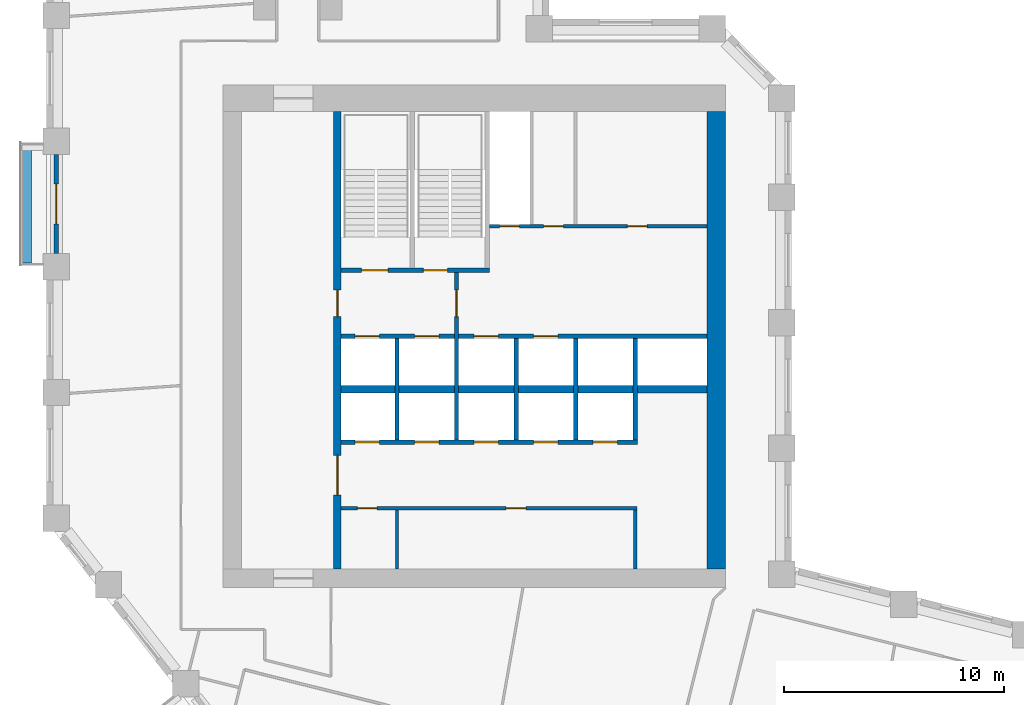
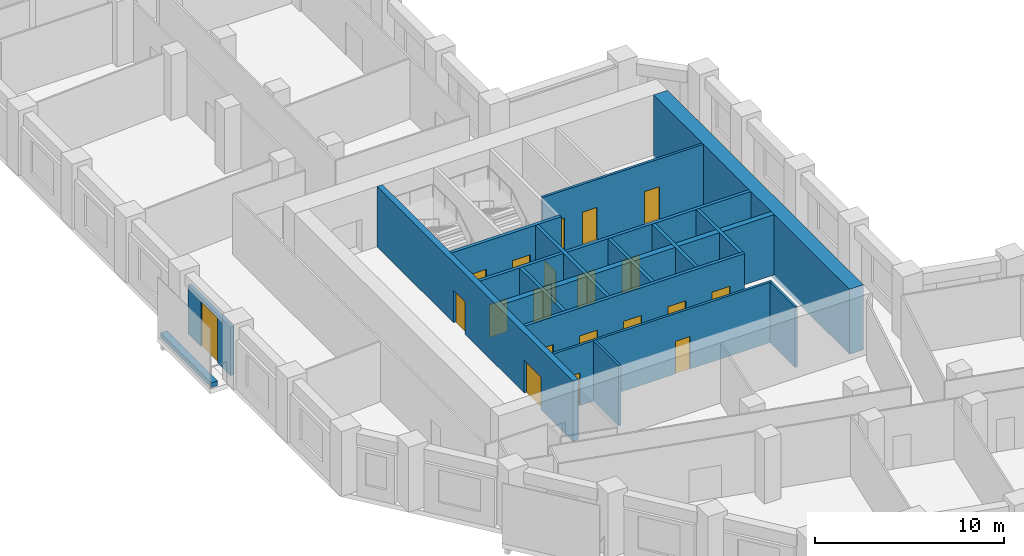
# One storey, part 5 of 10: 20 doors, 17 walls, 20 openings.
"""IFC4 building model written with IfcOpenShell, lengths in metres."""

from ifc_helpers import new_model, si_unit, direction, frame, frame_2d, origin, place, context, subcontext, project, spatial, rectangle, extrude, material, layer, layer_set, type_object, element, fill, save


model = new_model("IFC4")

# Units and contexts
model_context = context("Model", 3, precision=1e-05, world=origin(), true_north=direction((0.0, 1.0)))
body_context = subcontext(model_context, "Body", "Model", "MODEL_VIEW")
ifc_project = project(units=[si_unit("LENGTHUNIT", "METRE"), si_unit("AREAUNIT", "SQUARE_METRE"), si_unit("VOLUMEUNIT", "CUBIC_METRE"), si_unit("PLANEANGLEUNIT", "RADIAN"), si_unit("MASSUNIT", "GRAM", prefix="KILO")], contexts=[model_context])

# Site, building, storey
site_placement = place(None, origin())
site = spatial("IfcSite", under=ifc_project, at=site_placement, CompositionType="ELEMENT")
building_placement = place(site_placement, origin())
building = spatial("IfcBuilding", under=site, at=building_placement, Name="Meshkara Civic Tower", CompositionType="ELEMENT")
storey_placement = place(building_placement, frame((0.0, 0.0, 203.39990234375)))
storey = spatial("IfcBuildingStorey", under=building, at=storey_placement, Name="L46", CompositionType="ELEMENT", Elevation=203.39990234375)

# Wall, openings, doors
ifc_material_1 = material(Name="Blockwork", Category="masonry")
ifc_layer_1 = layer(ifc_material_1, 0.14990234375)
ifc_layer_set_1 = layer_set([ifc_layer_1], Name="Core partition 150")
wall_type_1 = type_object("IfcWallType", Name="Core partition 150", PredefinedType="PARTITIONING", material=ifc_layer_set_1)
wall_1_placement = place(storey_placement, frame((13.3701171875, 17.699951171875, 0.0), z_axis=(0.0, 0.0, 1.0), x_axis=(1.0, 0.0, 0.0)))
wall_1 = element("IfcWall", 1, at=wall_1_placement, inside=storey, type_object=wall_type_1, Name="L46-C005", PredefinedType="PARTITIONING", context=body_context, shape_type="SweptSolid", body=[
    extrude(rectangle(XDim=13.40478515625, YDim=0.14990234375, at=frame_2d((6.702392578125, 0.0))), origin(), (0.0, 0.0, 1.0), 3.900146484375),
])
opening_1_placement = place(wall_1_placement, frame((0.72998046875, 0.0, 0.0)))
opening_1 = element("IfcOpeningElement", 2, at=opening_1_placement, cuts=wall_1, Name="Opening L46-K010", PredefinedType="OPENING", context=body_context, shape_type="SweptSolid", body=[
    extrude(rectangle(XDim=0.89990234375, YDim=2.10009765625, at=frame_2d((0.449951171875, 1.050048828125))), frame((0.0, 0.0849609375, 0.0), z_axis=(0.0, -1.0, 0.0), x_axis=(1.0, 0.0, 0.0)), (0.0, 0.0, 1.0), 0.169921875),
])
opening_2_placement = place(wall_1_placement, frame((7.47998046875, 0.0, 0.0)))
opening_2 = element("IfcOpeningElement", 3, at=opening_2_placement, cuts=wall_1, Name="Opening L46-K011", PredefinedType="OPENING", context=body_context, shape_type="SweptSolid", body=[
    extrude(rectangle(XDim=0.89990234375, YDim=2.10009765625, at=frame_2d((0.449951171875, 1.050048828125))), frame((0.0, 0.0849609375, 0.0), z_axis=(0.0, -1.0, 0.0), x_axis=(1.0, 0.0, 0.0)), (0.0, 0.0, 1.0), 0.169921875),
])
ifc_material_2 = material(Name="Timber door leaf in steel frame", Category="steel")
door_type_1 = type_object("IfcDoorType", Name="Core room door 900", OperationType="SINGLE_SWING_LEFT", PredefinedType="DOOR", material=ifc_material_2)
door_1_placement = place(opening_1_placement, origin())
door_1 = element("IfcDoor", 4, at=door_1_placement, inside=storey, type_object=door_type_1, Name="L46-K010", OperationType="SINGLE_SWING_LEFT", OverallHeight=2.10009765625, OverallWidth=0.89990234375, PredefinedType="DOOR", context=body_context, shape_type="SweptSolid", body=[
    extrude(rectangle(XDim=0.89990234375, YDim=2.10009765625, at=frame_2d((0.449951171875, 1.050048828125))), frame((0.0, 0.02490234375, 0.0), z_axis=(0.0, -1.0, 0.0), x_axis=(1.0, 0.0, 0.0)), (0.0, 0.0, 1.0), 0.050048828125),
])
fill(opening_1, door_1)
door_2_placement = place(opening_2_placement, origin())
door_2 = element("IfcDoor", 5, at=door_2_placement, inside=storey, type_object=door_type_1, Name="L46-K011", OperationType="SINGLE_SWING_RIGHT", OverallHeight=2.10009765625, OverallWidth=0.89990234375, PredefinedType="DOOR", context=body_context, shape_type="SweptSolid", body=[
    extrude(rectangle(XDim=0.89990234375, YDim=2.10009765625, at=frame_2d((0.449951171875, 1.050048828125))), frame((0.0, 0.02490234375, 0.0), z_axis=(0.0, -1.0, 0.0), x_axis=(1.0, 0.0, 0.0)), (0.0, 0.0, 1.0), 0.050048828125),
])
fill(opening_2, door_2)

wall_2_placement = place(storey_placement, frame((20.10009765625, 30.5, 0.0), z_axis=(0.0, 0.0, 1.0), x_axis=(1.0, 0.0, 0.0)))
wall_2 = element("IfcWall", 6, at=wall_2_placement, inside=storey, type_object=wall_type_1, Name="L46-C010", PredefinedType="PARTITIONING", context=body_context, shape_type="SweptSolid", body=[
    extrude(rectangle(XDim=9.849853515625, YDim=0.14990234375, at=frame_2d((4.9248046875, 0.0))), origin(), (0.0, 0.0, 1.0), 3.900146484375),
])
opening_3_placement = place(wall_2_placement, frame((0.449951171875, 0.0, 0.0)))
opening_3 = element("IfcOpeningElement", 7, at=opening_3_placement, cuts=wall_2, Name="Opening L46-K012", PredefinedType="OPENING", context=body_context, shape_type="SweptSolid", body=[
    extrude(rectangle(XDim=0.89990234375, YDim=2.10009765625, at=frame_2d((0.449951171875, 1.050048828125))), frame((0.0, 0.0849609375, 0.0), z_axis=(0.0, -1.0, 0.0), x_axis=(1.0, 0.0, 0.0)), (0.0, 0.0, 1.0), 0.169921875),
])
opening_4_placement = place(wall_2_placement, frame((2.449951171875, 0.0, 0.0)))
opening_4 = element("IfcOpeningElement", 8, at=opening_4_placement, cuts=wall_2, Name="Opening L46-K013", PredefinedType="OPENING", context=body_context, shape_type="SweptSolid", body=[
    extrude(rectangle(XDim=0.89990234375, YDim=2.10009765625, at=frame_2d((0.449951171875, 1.050048828125))), frame((0.0, 0.0849609375, 0.0), z_axis=(0.0, -1.0, 0.0), x_axis=(1.0, 0.0, 0.0)), (0.0, 0.0, 1.0), 0.169921875),
])
opening_5_placement = place(wall_2_placement, frame((6.25, 0.0, 0.0)))
opening_5 = element("IfcOpeningElement", 9, at=opening_5_placement, cuts=wall_2, Name="Opening L46-K014", PredefinedType="OPENING", context=body_context, shape_type="SweptSolid", body=[
    extrude(rectangle(XDim=0.89990234375, YDim=2.10009765625, at=frame_2d((0.449951171875, 1.050048828125))), frame((0.0, 0.0849609375, 0.0), z_axis=(0.0, -1.0, 0.0), x_axis=(1.0, 0.0, 0.0)), (0.0, 0.0, 1.0), 0.169921875),
])
door_3_placement = place(opening_5_placement, origin())
door_3 = element("IfcDoor", 10, at=door_3_placement, inside=storey, type_object=door_type_1, Name="L46-K014", OperationType="SINGLE_SWING_RIGHT", OverallHeight=2.10009765625, OverallWidth=0.89990234375, PredefinedType="DOOR", context=body_context, shape_type="SweptSolid", body=[
    extrude(rectangle(XDim=0.89990234375, YDim=2.10009765625, at=frame_2d((0.449951171875, 1.050048828125))), frame((0.0, 0.02490234375, 0.0), z_axis=(0.0, -1.0, 0.0), x_axis=(1.0, 0.0, 0.0)), (0.0, 0.0, 1.0), 0.050048828125),
])
fill(opening_5, door_3)
ifc_material_3 = material(Name="Fire-rated door leaf in steel frame", Category="steel")
door_type_2 = type_object("IfcDoorType", Name="Riser door 900", OperationType="SINGLE_SWING_LEFT", PredefinedType="DOOR", material=ifc_material_3)
door_4_placement = place(opening_3_placement, origin())
door_4 = element("IfcDoor", 11, at=door_4_placement, inside=storey, type_object=door_type_2, Name="L46-K012", OperationType="SINGLE_SWING_RIGHT", OverallHeight=2.10009765625, OverallWidth=0.89990234375, PredefinedType="DOOR", context=body_context, shape_type="SweptSolid", body=[
    extrude(rectangle(XDim=0.89990234375, YDim=2.10009765625, at=frame_2d((0.449951171875, 1.050048828125))), frame((0.0, 0.02490234375, 0.0), z_axis=(0.0, -1.0, 0.0), x_axis=(1.0, 0.0, 0.0)), (0.0, 0.0, 1.0), 0.050048828125),
])
fill(opening_3, door_4)
ifc_material_4 = material(Name="Timber door leaf in steel frame", Category="steel")
door_type_3 = type_object("IfcDoorType", Name="WC door 900", OperationType="SINGLE_SWING_LEFT", PredefinedType="DOOR", material=ifc_material_4)
door_5_placement = place(opening_4_placement, origin())
door_5 = element("IfcDoor", 12, at=door_5_placement, inside=storey, type_object=door_type_3, Name="L46-K013", OperationType="SINGLE_SWING_LEFT", OverallHeight=2.10009765625, OverallWidth=0.89990234375, PredefinedType="DOOR", context=body_context, shape_type="SweptSolid", body=[
    extrude(rectangle(XDim=0.89990234375, YDim=2.10009765625, at=frame_2d((0.449951171875, 1.050048828125))), frame((0.0, 0.02490234375, 0.0), z_axis=(0.0, -1.0, 0.0), x_axis=(1.0, 0.0, 0.0)), (0.0, 0.0, 1.0), 0.050048828125),
])
fill(opening_4, door_5)

# Walls
for number, where, z_axis, x_axis, name in (
    (13, (15.89990234375, 14.949951171875, 0.0), (0.0, 0.0, 1.0), (0.0, 1.0, 0.0), "L46-C012"),
    (14, (26.699951171875, 14.949951171875, 0.0), (0.0, 0.0, 1.0), (0.0, 1.0, 0.0), "L46-C021"),
):
    element("IfcWall", number, at=place(storey_placement, frame(where, z_axis=z_axis, x_axis=x_axis)), inside=storey, type_object=wall_type_1, Name=name, PredefinedType="PARTITIONING", context=body_context, shape_type="SweptSolid", body=[
        extrude(rectangle(XDim=2.675048828125, YDim=0.14990234375, at=frame_2d((1.33740234375, 0.0))), origin(), (0.0, 0.0, 1.0), 3.900146484375),
    ])
ifc_material_5 = material(Name="Concrete C70", Category="concrete")
ifc_layer_2 = layer(ifc_material_5, 0.85009765625)
ifc_layer_set_2 = layer_set([ifc_layer_2], Name="Core ring wall 850 C70")
wall_type_2 = type_object("IfcWallType", Name="Core ring wall 850 C70", PredefinedType="SHEAR", material=ifc_layer_set_2)
wall_3_placement = place(storey_placement, frame((30.375, 14.949951171875, -0.2998046875), z_axis=(0.0, 0.0, 1.0), x_axis=(0.0, 1.0, 0.0)))
element("IfcWall", 15, at=wall_3_placement, inside=storey, type_object=wall_type_2, Name="L46-C004", PredefinedType="SHEAR", context=body_context, shape_type="SweptSolid", body=[
    extrude(rectangle(XDim=20.75, YDim=0.85009765625, at=frame_2d((10.375, 0.0))), origin(), (0.0, 0.0, 1.0), 4.199951171875),
])
ifc_material_6 = material(Name="Concrete C70", Category="concrete")
ifc_layer_3 = layer(ifc_material_6, 0.340087890625)
ifc_layer_set_3 = layer_set([ifc_layer_3], Name="Core shear wall 340 C70")
wall_type_3 = type_object("IfcWallType", Name="Core shear wall 340 C70", PredefinedType="SHEAR", material=ifc_layer_set_3)
wall_4_placement = place(storey_placement, frame((13.3701171875, 23.10009765625, 0.0), z_axis=(0.0, 0.0, 1.0), x_axis=(1.0, 0.0, 0.0)))
element("IfcWall", 16, at=wall_4_placement, inside=storey, type_object=wall_type_3, Name="L46-C007", PredefinedType="SHEAR", context=body_context, shape_type="SweptSolid", body=[
    extrude(rectangle(XDim=16.579833984375, YDim=0.340087890625, at=frame_2d((8.2900390625, 0.0))), origin(), (0.0, 0.0, 1.0), 3.900146484375),
])

# Wall, openings, doors
wall_5_placement = place(storey_placement, frame((13.199951171875, 14.949951171875, 0.0), z_axis=(0.0, 0.0, 1.0), x_axis=(0.0, 1.0, 0.0)))
wall_5 = element("IfcWall", 17, at=wall_5_placement, inside=storey, type_object=wall_type_3, Name="L46-C011", PredefinedType="SHEAR", context=body_context, shape_type="SweptSolid", body=[
    extrude(rectangle(XDim=20.75, YDim=0.340087890625, at=frame_2d((10.375, 0.0))), origin(), (0.0, 0.0, 1.0), 3.900146484375),
])
opening_6_placement = place(wall_5_placement, frame((3.35009765625, 0.0, 0.0)))
opening_6 = element("IfcOpeningElement", 18, at=opening_6_placement, cuts=wall_5, Name="Opening L46-K017", PredefinedType="OPENING", context=body_context, shape_type="SweptSolid", body=[
    extrude(rectangle(XDim=1.800048828125, YDim=2.10009765625, at=frame_2d((0.89990234375, 1.050048828125))), frame((0.0, 0.179931640625, 0.0), z_axis=(0.0, -1.0, 0.0), x_axis=(1.0, 0.0, 0.0)), (0.0, 0.0, 1.0), 0.360107421875),
])
opening_7_placement = place(wall_5_placement, frame((11.449951171875, 0.0, 0.0)))
opening_7 = element("IfcOpeningElement", 19, at=opening_7_placement, cuts=wall_5, Name="Opening L46-K018", PredefinedType="OPENING", context=body_context, shape_type="SweptSolid", body=[
    extrude(rectangle(XDim=1.199951171875, YDim=2.10009765625, at=frame_2d((0.60009765625, 1.050048828125))), frame((0.0, 0.179931640625, 0.0), z_axis=(0.0, -1.0, 0.0), x_axis=(1.0, 0.0, 0.0)), (0.0, 0.0, 1.0), 0.360107421875),
])
ifc_material_7 = material(Name="Fire-rated door leaf in steel frame", Category="steel")
door_type_4 = type_object("IfcDoorType", Name="Core double door 1800 EI 60", OperationType="DOUBLE_DOOR_SINGLE_SWING", PredefinedType="DOOR", material=ifc_material_7)
door_6_placement = place(opening_6_placement, origin())
door_6 = element("IfcDoor", 20, at=door_6_placement, inside=storey, type_object=door_type_4, Name="L46-K017", OperationType="DOUBLE_DOOR_SINGLE_SWING", OverallHeight=2.10009765625, OverallWidth=1.800048828125, PredefinedType="DOOR", context=body_context, shape_type="SweptSolid", body=[
    extrude(rectangle(XDim=1.800048828125, YDim=2.10009765625, at=frame_2d((0.89990234375, 1.050048828125))), frame((0.0, 0.02490234375, 0.0), z_axis=(0.0, -1.0, 0.0), x_axis=(1.0, 0.0, 0.0)), (0.0, 0.0, 1.0), 0.050048828125),
])
fill(opening_6, door_6)
ifc_material_8 = material(Name="Fire-rated door leaf in steel frame", Category="steel")
door_type_5 = type_object("IfcDoorType", Name="Fire-fighting lobby door 1200 EI 120", OperationType="SINGLE_SWING_LEFT", PredefinedType="DOOR", material=ifc_material_8)
door_7_placement = place(opening_7_placement, origin())
door_7 = element("IfcDoor", 21, at=door_7_placement, inside=storey, type_object=door_type_5, Name="L46-K018", OperationType="SINGLE_SWING_LEFT", OverallHeight=2.10009765625, OverallWidth=1.199951171875, PredefinedType="DOOR", context=body_context, shape_type="SweptSolid", body=[
    extrude(rectangle(XDim=1.199951171875, YDim=2.10009765625, at=frame_2d((0.60009765625, 1.050048828125))), frame((0.0, 0.02490234375, 0.0), z_axis=(0.0, -1.0, 0.0), x_axis=(1.0, 0.0, 0.0)), (0.0, 0.0, 1.0), 0.050048828125),
])
fill(opening_7, door_7)

# Wall, opening, door
ifc_material_9 = material(Name="Insulated infill panel with bronze anodised aluminium cladding", Category="aluminium")
ifc_layer_4 = layer(ifc_material_9, 0.199951171875)
ifc_layer_set_4 = layer_set([ifc_layer_4], Name="LOGGIA BACK WALL 200")
wall_type_4 = type_object("IfcWallType", Name="LOGGIA BACK WALL 200", PredefinedType="SOLIDWALL", material=ifc_layer_set_4)
wall_6_placement = place(storey_placement, frame((0.449951171875, 33.75390625, 0.0), z_axis=(0.0, 0.0, 1.0), x_axis=(0.0, -1.0, 0.0)))
wall_6 = element("IfcWall", 22, at=wall_6_placement, inside=storey, type_object=wall_type_4, Name="Loggia wall", PredefinedType="SOLIDWALL", context=body_context, shape_type="SweptSolid", body=[
    extrude(rectangle(XDim=4.497802734375, YDim=0.199951171875, at=frame_2d((2.2490234375, 0.0))), origin(), (0.0, 0.0, 1.0), 3.150146484375),
])
opening_8_placement = place(wall_6_placement, frame((1.34912109375, 0.0, 0.0)))
opening_8 = element("IfcOpeningElement", 23, at=opening_8_placement, cuts=wall_6, Name="Opening L46-L002", PredefinedType="OPENING", context=body_context, shape_type="SweptSolid", body=[
    extrude(rectangle(XDim=1.800048828125, YDim=2.89990234375, at=frame_2d((0.89990234375, 1.449951171875))), frame((0.0, 0.10986328125, 0.0), z_axis=(0.0, -1.0, 0.0), x_axis=(1.0, 0.0, 0.0)), (0.0, 0.0, 1.0), 0.219970703125),
])
ifc_material_10 = material(Name="Tinted double glazing", Category="glass")
door_type_6 = type_object("IfcDoorType", Name="LOGGIA DOOR 1800x2900", OperationType="DOUBLE_DOOR_SINGLE_SWING", PredefinedType="DOOR", material=ifc_material_10)
door_8_placement = place(opening_8_placement, origin())
door_8 = element("IfcDoor", 24, at=door_8_placement, inside=storey, type_object=door_type_6, Name="L46-L002", OperationType="DOUBLE_DOOR_SINGLE_SWING", OverallHeight=2.89990234375, OverallWidth=1.800048828125, PredefinedType="DOOR", context=body_context, shape_type="SweptSolid", body=[
    extrude(rectangle(XDim=1.800048828125, YDim=2.89990234375, at=frame_2d((0.89990234375, 1.449951171875))), frame((0.0, 0.02490234375, 0.0), z_axis=(0.0, -1.0, 0.0), x_axis=(1.0, 0.0, 0.0)), (0.0, 0.0, 1.0), 0.050048828125),
])
fill(opening_8, door_8)

# Wall
ifc_material_11 = material(Name="Concrete C40", Category="concrete")
ifc_layer_5 = layer(ifc_material_11, 0.39990234375)
ifc_layer_set_5 = layer_set([ifc_layer_5], Name="PLANTER TRAY")
wall_type_5 = type_object("IfcWallType", Name="PLANTER TRAY", PredefinedType="SOLIDWALL", material=ifc_layer_set_5)
wall_7_placement = place(storey_placement, frame((-0.8798828125, 34.18505859375, 0.0), z_axis=(0.0, 0.0, 1.0), x_axis=(0.0, -1.0, 0.0)))
element("IfcWall", 25, at=wall_7_placement, inside=storey, type_object=wall_type_5, Name="Planter", PredefinedType="SOLIDWALL", context=body_context, shape_type="SweptSolid", body=[
    extrude(rectangle(XDim=5.360107421875, YDim=0.39990234375, at=frame_2d((2.68017578125, 0.0))), origin(), (0.0, 0.0, 1.0), 0.300048828125),
])

# Wall, openings, doors
ifc_material_12 = material(Name="Concrete C40/50", Category="concrete")
ifc_layer_6 = layer(ifc_material_12, 0.199951171875)
ifc_layer_set_6 = layer_set([ifc_layer_6], Name="Shaft wall 200 C40/50")
wall_type_6 = type_object("IfcWallType", Name="Shaft wall 200 C40/50", PredefinedType="SOLIDWALL", material=ifc_layer_set_6)
wall_8_placement = place(storey_placement, frame((13.3701171875, 20.699951171875, 0.0), z_axis=(0.0, 0.0, 1.0), x_axis=(1.0, 0.0, 0.0)))
wall_8 = element("IfcWall", 26, at=wall_8_placement, inside=storey, type_object=wall_type_6, Name="L46-C006", PredefinedType="SOLIDWALL", context=body_context, shape_type="SweptSolid", body=[
    extrude(rectangle(XDim=13.429931640625, YDim=0.199951171875, at=frame_2d((6.71484375, 0.0))), origin(), (0.0, 0.0, 1.0), 3.900146484375),
])
opening_9_placement = place(wall_8_placement, frame((0.6298828125, 0.0, 0.0)))
opening_9 = element("IfcOpeningElement", 27, at=opening_9_placement, cuts=wall_8, Name="Opening L46-K001", PredefinedType="OPENING", context=body_context, shape_type="SweptSolid", body=[
    extrude(rectangle(XDim=1.10009765625, YDim=2.10009765625, at=frame_2d((0.550048828125, 1.050048828125))), frame((0.0, 0.10986328125, 0.0), z_axis=(0.0, -1.0, 0.0), x_axis=(1.0, 0.0, 0.0)), (0.0, 0.0, 1.0), 0.219970703125),
])
opening_10_placement = place(wall_8_placement, frame((3.330078125, 0.0, 0.0)))
opening_10 = element("IfcOpeningElement", 28, at=opening_10_placement, cuts=wall_8, Name="Opening L46-K002", PredefinedType="OPENING", context=body_context, shape_type="SweptSolid", body=[
    extrude(rectangle(XDim=1.10009765625, YDim=2.10009765625, at=frame_2d((0.550048828125, 1.050048828125))), frame((0.0, 0.10986328125, 0.0), z_axis=(0.0, -1.0, 0.0), x_axis=(1.0, 0.0, 0.0)), (0.0, 0.0, 1.0), 0.219970703125),
])
opening_11_placement = place(wall_8_placement, frame((6.030029296875, 0.0, 0.0)))
opening_11 = element("IfcOpeningElement", 29, at=opening_11_placement, cuts=wall_8, Name="Opening L46-K003", PredefinedType="OPENING", context=body_context, shape_type="SweptSolid", body=[
    extrude(rectangle(XDim=1.10009765625, YDim=2.10009765625, at=frame_2d((0.550048828125, 1.050048828125))), frame((0.0, 0.10986328125, 0.0), z_axis=(0.0, -1.0, 0.0), x_axis=(1.0, 0.0, 0.0)), (0.0, 0.0, 1.0), 0.219970703125),
])
opening_12_placement = place(wall_8_placement, frame((8.72998046875, 0.0, 0.0)))
opening_12 = element("IfcOpeningElement", 30, at=opening_12_placement, cuts=wall_8, Name="Opening L46-K004", PredefinedType="OPENING", context=body_context, shape_type="SweptSolid", body=[
    extrude(rectangle(XDim=1.10009765625, YDim=2.10009765625, at=frame_2d((0.550048828125, 1.050048828125))), frame((0.0, 0.10986328125, 0.0), z_axis=(0.0, -1.0, 0.0), x_axis=(1.0, 0.0, 0.0)), (0.0, 0.0, 1.0), 0.219970703125),
])
opening_13_placement = place(wall_8_placement, frame((11.429931640625, 0.0, 0.0)))
opening_13 = element("IfcOpeningElement", 31, at=opening_13_placement, cuts=wall_8, Name="Opening L46-K005", PredefinedType="OPENING", context=body_context, shape_type="SweptSolid", body=[
    extrude(rectangle(XDim=1.10009765625, YDim=2.10009765625, at=frame_2d((0.550048828125, 1.050048828125))), frame((0.0, 0.10986328125, 0.0), z_axis=(0.0, -1.0, 0.0), x_axis=(1.0, 0.0, 0.0)), (0.0, 0.0, 1.0), 0.219970703125),
])
ifc_material_13 = material(Name="Stainless steel landing door", Category="steel")
door_type_7 = type_object("IfcDoorType", Name="Lift landing door 1100", OperationType="SLIDING_TO_LEFT", PredefinedType="DOOR", material=ifc_material_13)
door_9_placement = place(opening_9_placement, origin())
door_9 = element("IfcDoor", 32, at=door_9_placement, inside=storey, type_object=door_type_7, Name="L46-K001", OperationType="SLIDING_TO_LEFT", OverallHeight=2.10009765625, OverallWidth=1.10009765625, PredefinedType="DOOR", context=body_context, shape_type="SweptSolid", body=[
    extrude(rectangle(XDim=1.10009765625, YDim=2.10009765625, at=frame_2d((0.550048828125, 1.050048828125))), frame((0.0, 0.02490234375, 0.0), z_axis=(0.0, -1.0, 0.0), x_axis=(1.0, 0.0, 0.0)), (0.0, 0.0, 1.0), 0.050048828125),
])
fill(opening_9, door_9)
door_10_placement = place(opening_10_placement, origin())
door_10 = element("IfcDoor", 33, at=door_10_placement, inside=storey, type_object=door_type_7, Name="L46-K002", OperationType="SLIDING_TO_LEFT", OverallHeight=2.10009765625, OverallWidth=1.10009765625, PredefinedType="DOOR", context=body_context, shape_type="SweptSolid", body=[
    extrude(rectangle(XDim=1.10009765625, YDim=2.10009765625, at=frame_2d((0.550048828125, 1.050048828125))), frame((0.0, 0.02490234375, 0.0), z_axis=(0.0, -1.0, 0.0), x_axis=(1.0, 0.0, 0.0)), (0.0, 0.0, 1.0), 0.050048828125),
])
fill(opening_10, door_10)
door_11_placement = place(opening_11_placement, origin())
door_11 = element("IfcDoor", 34, at=door_11_placement, inside=storey, type_object=door_type_7, Name="L46-K003", OperationType="SLIDING_TO_LEFT", OverallHeight=2.10009765625, OverallWidth=1.10009765625, PredefinedType="DOOR", context=body_context, shape_type="SweptSolid", body=[
    extrude(rectangle(XDim=1.10009765625, YDim=2.10009765625, at=frame_2d((0.550048828125, 1.050048828125))), frame((0.0, 0.02490234375, 0.0), z_axis=(0.0, -1.0, 0.0), x_axis=(1.0, 0.0, 0.0)), (0.0, 0.0, 1.0), 0.050048828125),
])
fill(opening_11, door_11)
door_12_placement = place(opening_12_placement, origin())
door_12 = element("IfcDoor", 35, at=door_12_placement, inside=storey, type_object=door_type_7, Name="L46-K004", OperationType="SLIDING_TO_LEFT", OverallHeight=2.10009765625, OverallWidth=1.10009765625, PredefinedType="DOOR", context=body_context, shape_type="SweptSolid", body=[
    extrude(rectangle(XDim=1.10009765625, YDim=2.10009765625, at=frame_2d((0.550048828125, 1.050048828125))), frame((0.0, 0.02490234375, 0.0), z_axis=(0.0, -1.0, 0.0), x_axis=(1.0, 0.0, 0.0)), (0.0, 0.0, 1.0), 0.050048828125),
])
fill(opening_12, door_12)
door_13_placement = place(opening_13_placement, origin())
door_13 = element("IfcDoor", 36, at=door_13_placement, inside=storey, type_object=door_type_7, Name="L46-K005", OperationType="SLIDING_TO_LEFT", OverallHeight=2.10009765625, OverallWidth=1.10009765625, PredefinedType="DOOR", context=body_context, shape_type="SweptSolid", body=[
    extrude(rectangle(XDim=1.10009765625, YDim=2.10009765625, at=frame_2d((0.550048828125, 1.050048828125))), frame((0.0, 0.02490234375, 0.0), z_axis=(0.0, -1.0, 0.0), x_axis=(1.0, 0.0, 0.0)), (0.0, 0.0, 1.0), 0.050048828125),
])
fill(opening_13, door_13)

wall_9_placement = place(storey_placement, frame((13.3701171875, 25.5, 0.0), z_axis=(0.0, 0.0, 1.0), x_axis=(1.0, 0.0, 0.0)))
wall_9 = element("IfcWall", 37, at=wall_9_placement, inside=storey, type_object=wall_type_6, Name="L46-C008", PredefinedType="SOLIDWALL", context=body_context, shape_type="SweptSolid", body=[
    extrude(rectangle(XDim=16.579833984375, YDim=0.199951171875, at=frame_2d((8.2900390625, 0.0))), origin(), (0.0, 0.0, 1.0), 3.900146484375),
])
opening_14_placement = place(wall_9_placement, frame((0.6298828125, 0.0, 0.0)))
opening_14 = element("IfcOpeningElement", 38, at=opening_14_placement, cuts=wall_9, Name="Opening L46-K006", PredefinedType="OPENING", context=body_context, shape_type="SweptSolid", body=[
    extrude(rectangle(XDim=1.10009765625, YDim=2.10009765625, at=frame_2d((0.550048828125, 1.050048828125))), frame((0.0, 0.10986328125, 0.0), z_axis=(0.0, -1.0, 0.0), x_axis=(1.0, 0.0, 0.0)), (0.0, 0.0, 1.0), 0.219970703125),
])
opening_15_placement = place(wall_9_placement, frame((3.330078125, 0.0, 0.0)))
opening_15 = element("IfcOpeningElement", 39, at=opening_15_placement, cuts=wall_9, Name="Opening L46-K007", PredefinedType="OPENING", context=body_context, shape_type="SweptSolid", body=[
    extrude(rectangle(XDim=1.10009765625, YDim=2.10009765625, at=frame_2d((0.550048828125, 1.050048828125))), frame((0.0, 0.10986328125, 0.0), z_axis=(0.0, -1.0, 0.0), x_axis=(1.0, 0.0, 0.0)), (0.0, 0.0, 1.0), 0.219970703125),
])
opening_16_placement = place(wall_9_placement, frame((6.030029296875, 0.0, 0.0)))
opening_16 = element("IfcOpeningElement", 40, at=opening_16_placement, cuts=wall_9, Name="Opening L46-K008", PredefinedType="OPENING", context=body_context, shape_type="SweptSolid", body=[
    extrude(rectangle(XDim=1.10009765625, YDim=2.10009765625, at=frame_2d((0.550048828125, 1.050048828125))), frame((0.0, 0.10986328125, 0.0), z_axis=(0.0, -1.0, 0.0), x_axis=(1.0, 0.0, 0.0)), (0.0, 0.0, 1.0), 0.219970703125),
])
opening_17_placement = place(wall_9_placement, frame((8.72998046875, 0.0, 0.0)))
opening_17 = element("IfcOpeningElement", 41, at=opening_17_placement, cuts=wall_9, Name="Opening L46-K009", PredefinedType="OPENING", context=body_context, shape_type="SweptSolid", body=[
    extrude(rectangle(XDim=1.10009765625, YDim=2.10009765625, at=frame_2d((0.550048828125, 1.050048828125))), frame((0.0, 0.10986328125, 0.0), z_axis=(0.0, -1.0, 0.0), x_axis=(1.0, 0.0, 0.0)), (0.0, 0.0, 1.0), 0.219970703125),
])
door_14_placement = place(opening_14_placement, origin())
door_14 = element("IfcDoor", 42, at=door_14_placement, inside=storey, type_object=door_type_7, Name="L46-K006", OperationType="SLIDING_TO_LEFT", OverallHeight=2.10009765625, OverallWidth=1.10009765625, PredefinedType="DOOR", context=body_context, shape_type="SweptSolid", body=[
    extrude(rectangle(XDim=1.10009765625, YDim=2.10009765625, at=frame_2d((0.550048828125, 1.050048828125))), frame((0.0, 0.02490234375, 0.0), z_axis=(0.0, -1.0, 0.0), x_axis=(1.0, 0.0, 0.0)), (0.0, 0.0, 1.0), 0.050048828125),
])
fill(opening_14, door_14)
door_15_placement = place(opening_15_placement, origin())
door_15 = element("IfcDoor", 43, at=door_15_placement, inside=storey, type_object=door_type_7, Name="L46-K007", OperationType="SLIDING_TO_LEFT", OverallHeight=2.10009765625, OverallWidth=1.10009765625, PredefinedType="DOOR", context=body_context, shape_type="SweptSolid", body=[
    extrude(rectangle(XDim=1.10009765625, YDim=2.10009765625, at=frame_2d((0.550048828125, 1.050048828125))), frame((0.0, 0.02490234375, 0.0), z_axis=(0.0, -1.0, 0.0), x_axis=(1.0, 0.0, 0.0)), (0.0, 0.0, 1.0), 0.050048828125),
])
fill(opening_15, door_15)
door_16_placement = place(opening_16_placement, origin())
door_16 = element("IfcDoor", 44, at=door_16_placement, inside=storey, type_object=door_type_7, Name="L46-K008", OperationType="SLIDING_TO_LEFT", OverallHeight=2.10009765625, OverallWidth=1.10009765625, PredefinedType="DOOR", context=body_context, shape_type="SweptSolid", body=[
    extrude(rectangle(XDim=1.10009765625, YDim=2.10009765625, at=frame_2d((0.550048828125, 1.050048828125))), frame((0.0, 0.02490234375, 0.0), z_axis=(0.0, -1.0, 0.0), x_axis=(1.0, 0.0, 0.0)), (0.0, 0.0, 1.0), 0.050048828125),
])
fill(opening_16, door_16)
door_17_placement = place(opening_17_placement, origin())
door_17 = element("IfcDoor", 45, at=door_17_placement, inside=storey, type_object=door_type_7, Name="L46-K009", OperationType="SLIDING_TO_LEFT", OverallHeight=2.10009765625, OverallWidth=1.10009765625, PredefinedType="DOOR", context=body_context, shape_type="SweptSolid", body=[
    extrude(rectangle(XDim=1.10009765625, YDim=2.10009765625, at=frame_2d((0.550048828125, 1.050048828125))), frame((0.0, 0.02490234375, 0.0), z_axis=(0.0, -1.0, 0.0), x_axis=(1.0, 0.0, 0.0)), (0.0, 0.0, 1.0), 0.050048828125),
])
fill(opening_17, door_17)

# Wall
wall_10_placement = place(storey_placement, frame((15.89990234375, 20.800048828125, 0.0), z_axis=(0.0, 0.0, 1.0), x_axis=(0.0, 1.0, 0.0)))
element("IfcWall", 46, at=wall_10_placement, inside=storey, type_object=wall_type_6, Name="L46-C013", PredefinedType="SOLIDWALL", context=body_context, shape_type="SweptSolid", body=[
    extrude(rectangle(XDim=4.599853515625, YDim=0.199951171875, at=frame_2d((2.2998046875, 0.0))), origin(), (0.0, 0.0, 1.0), 3.900146484375),
])

# Wall, opening, door
wall_11_placement = place(storey_placement, frame((18.60009765625, 20.800048828125, 0.0), z_axis=(0.0, 0.0, 1.0), x_axis=(0.0, 1.0, 0.0)))
wall_11 = element("IfcWall", 47, at=wall_11_placement, inside=storey, type_object=wall_type_6, Name="L46-C015", PredefinedType="SOLIDWALL", context=body_context, shape_type="SweptSolid", body=[
    extrude(rectangle(XDim=7.599853515625, YDim=0.199951171875, at=frame_2d((3.7998046875, 0.0))), origin(), (0.0, 0.0, 1.0), 3.900146484375),
])
opening_18_placement = place(wall_11_placement, frame((5.60009765625, 0.0, 0.0)))
opening_18 = element("IfcOpeningElement", 48, at=opening_18_placement, cuts=wall_11, Name="Opening L46-K019", PredefinedType="OPENING", context=body_context, shape_type="SweptSolid", body=[
    extrude(rectangle(XDim=1.199951171875, YDim=2.10009765625, at=frame_2d((0.60009765625, 1.050048828125))), frame((0.0, 0.10986328125, 0.0), z_axis=(0.0, -1.0, 0.0), x_axis=(1.0, 0.0, 0.0)), (0.0, 0.0, 1.0), 0.219970703125),
])
door_18_placement = place(opening_18_placement, origin())
door_18 = element("IfcDoor", 49, at=door_18_placement, inside=storey, type_object=door_type_5, Name="L46-K019", OperationType="SINGLE_SWING_RIGHT", OverallHeight=2.10009765625, OverallWidth=1.199951171875, PredefinedType="DOOR", context=body_context, shape_type="SweptSolid", body=[
    extrude(rectangle(XDim=1.199951171875, YDim=2.10009765625, at=frame_2d((0.60009765625, 1.050048828125))), frame((0.0, 0.02490234375, 0.0), z_axis=(0.0, -1.0, 0.0), x_axis=(1.0, 0.0, 0.0)), (0.0, 0.0, 1.0), 0.050048828125),
])
fill(opening_18, door_18)

# Walls
for number, where, z_axis, x_axis, name in (
    (50, (21.300048828125, 20.800048828125, 0.0), (0.0, 0.0, 1.0), (0.0, 1.0, 0.0), "L46-C017"),
    (51, (24.0, 20.800048828125, 0.0), (0.0, 0.0, 1.0), (0.0, 1.0, 0.0), "L46-C019"),
    (52, (26.699951171875, 20.800048828125, 0.0), (0.0, 0.0, 1.0), (0.0, 1.0, 0.0), "L46-C022"),
):
    element("IfcWall", number, at=place(storey_placement, frame(where, z_axis=z_axis, x_axis=x_axis)), inside=storey, type_object=wall_type_6, Name=name, PredefinedType="SOLIDWALL", context=body_context, shape_type="SweptSolid", body=[
        extrude(rectangle(XDim=4.599853515625, YDim=0.199951171875, at=frame_2d((2.2998046875, 0.0))), origin(), (0.0, 0.0, 1.0), 3.900146484375),
    ])

# Wall, openings, doors
ifc_material_14 = material(Name="Concrete C40/50", Category="concrete")
ifc_layer_7 = layer(ifc_material_14, 0.199951171875)
ifc_layer_set_7 = layer_set([ifc_layer_7], Name="Stair enclosure wall 200 C40/50")
wall_type_7 = type_object("IfcWallType", Name="Stair enclosure wall 200 C40/50", PredefinedType="SOLIDWALL", material=ifc_layer_set_7)
wall_12_placement = place(storey_placement, frame((13.3701171875, 28.5, 0.0), z_axis=(0.0, 0.0, 1.0), x_axis=(1.0, 0.0, 0.0)))
wall_12 = element("IfcWall", 53, at=wall_12_placement, inside=storey, type_object=wall_type_7, Name="L46-C009", PredefinedType="SOLIDWALL", context=body_context, shape_type="SweptSolid", body=[
    extrude(rectangle(XDim=6.72998046875, YDim=0.199951171875, at=frame_2d((3.364990234375, 0.0))), origin(), (0.0, 0.0, 1.0), 3.900146484375),
])
opening_19_placement = place(wall_12_placement, frame((0.929931640625, 0.0, 0.0)))
opening_19 = element("IfcOpeningElement", 54, at=opening_19_placement, cuts=wall_12, Name="Opening L46-K015", PredefinedType="OPENING", context=body_context, shape_type="SweptSolid", body=[
    extrude(rectangle(XDim=1.199951171875, YDim=2.10009765625, at=frame_2d((0.60009765625, 1.050048828125))), frame((0.0, 0.10986328125, 0.0), z_axis=(0.0, -1.0, 0.0), x_axis=(1.0, 0.0, 0.0)), (0.0, 0.0, 1.0), 0.219970703125),
])
opening_20_placement = place(wall_12_placement, frame((3.72998046875, 0.0, 0.0)))
opening_20 = element("IfcOpeningElement", 55, at=opening_20_placement, cuts=wall_12, Name="Opening L46-K016", PredefinedType="OPENING", context=body_context, shape_type="SweptSolid", body=[
    extrude(rectangle(XDim=1.10009765625, YDim=2.10009765625, at=frame_2d((0.550048828125, 1.050048828125))), frame((0.0, 0.10986328125, 0.0), z_axis=(0.0, -1.0, 0.0), x_axis=(1.0, 0.0, 0.0)), (0.0, 0.0, 1.0), 0.219970703125),
])
ifc_material_15 = material(Name="Fire-rated door leaf in steel frame", Category="steel")
door_type_8 = type_object("IfcDoorType", Name="Stair door 1100 EI 120", OperationType="SINGLE_SWING_LEFT", PredefinedType="DOOR", material=ifc_material_15)
door_19_placement = place(opening_20_placement, origin())
door_19 = element("IfcDoor", 56, at=door_19_placement, inside=storey, type_object=door_type_8, Name="L46-K016", OperationType="SINGLE_SWING_LEFT", OverallHeight=2.10009765625, OverallWidth=1.10009765625, PredefinedType="DOOR", context=body_context, shape_type="SweptSolid", body=[
    extrude(rectangle(XDim=1.10009765625, YDim=2.10009765625, at=frame_2d((0.550048828125, 1.050048828125))), frame((0.0, 0.02490234375, 0.0), z_axis=(0.0, -1.0, 0.0), x_axis=(1.0, 0.0, 0.0)), (0.0, 0.0, 1.0), 0.050048828125),
])
fill(opening_20, door_19)
ifc_material_16 = material(Name="Fire-rated door leaf in steel frame", Category="steel")
door_type_9 = type_object("IfcDoorType", Name="Stair door 1200 EI 120", OperationType="SINGLE_SWING_LEFT", PredefinedType="DOOR", material=ifc_material_16)
door_20_placement = place(opening_19_placement, origin())
door_20 = element("IfcDoor", 57, at=door_20_placement, inside=storey, type_object=door_type_9, Name="L46-K015", OperationType="SINGLE_SWING_RIGHT", OverallHeight=2.10009765625, OverallWidth=1.199951171875, PredefinedType="DOOR", context=body_context, shape_type="SweptSolid", body=[
    extrude(rectangle(XDim=1.199951171875, YDim=2.10009765625, at=frame_2d((0.60009765625, 1.050048828125))), frame((0.0, 0.02490234375, 0.0), z_axis=(0.0, -1.0, 0.0), x_axis=(1.0, 0.0, 0.0)), (0.0, 0.0, 1.0), 0.050048828125),
])
fill(opening_19, door_20)

save(model, "model.ifc")
